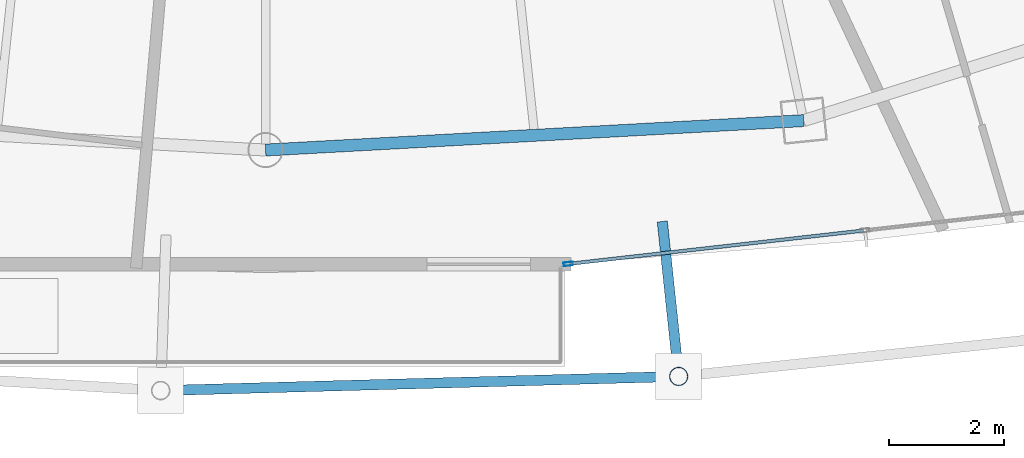
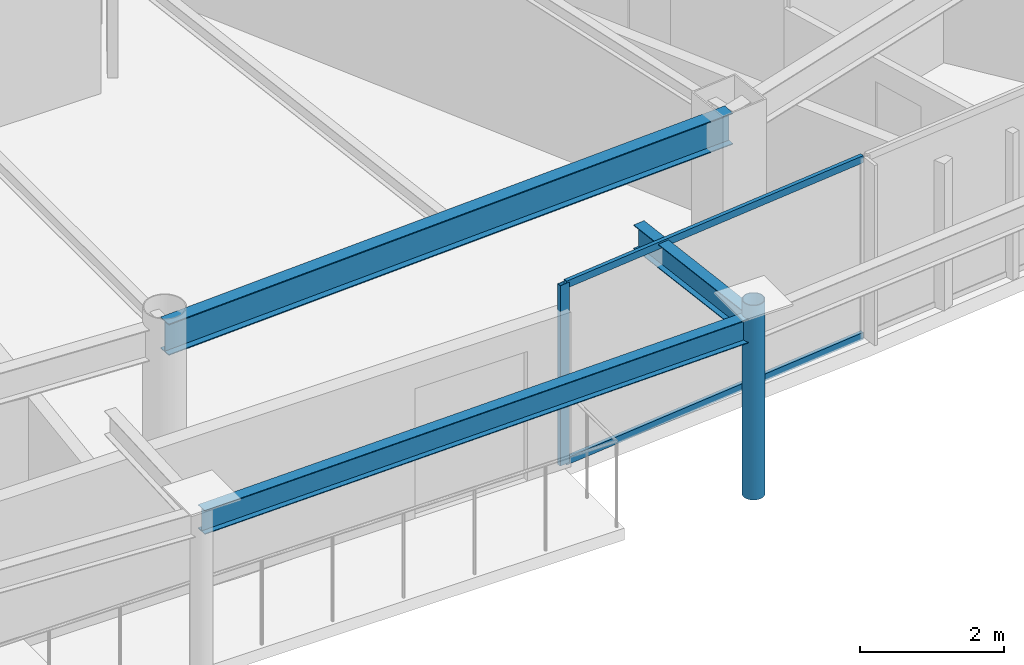
# One storey, part 8 of 32: 4 members, 3 beams, 1 element without a shape of its own.
"""IFC4 building model written with IfcOpenShell, lengths in metres."""

from ifc_helpers import new_model, si_unit, direction, frame, origin, origin_2d, place, context, subcontext, project, spatial, hollow_rectangle, hollow_circle, i_section, extrude, material, layer, layer_set, material_profile, profile_set, type_object, element, aggregate, save


model = new_model("IFC4")

# Units and contexts
model_context = context("Model", 3, precision=1e-05, world=origin(), true_north=direction((0.0, 1.0)))
body_context = subcontext(model_context, "Body", "Model", "MODEL_VIEW")
ifc_project = project(units=[si_unit("LENGTHUNIT", "METRE"), si_unit("AREAUNIT", "SQUARE_METRE"), si_unit("VOLUMEUNIT", "CUBIC_METRE"), si_unit("PLANEANGLEUNIT", "RADIAN"), si_unit("MASSUNIT", "GRAM", prefix="KILO")], contexts=[model_context])

# Site, building, storey
site_placement = place(None, origin())
site = spatial("IfcSite", under=ifc_project, at=site_placement, CompositionType="ELEMENT")
building_placement = place(site_placement, origin())
building = spatial("IfcBuilding", under=site, at=building_placement, Name="Orvanel Arch Residences", CompositionType="ELEMENT")
storey_placement = place(building_placement, frame((0.0, 0.0, 222.800048828125)))
storey = spatial("IfcBuildingStorey", under=building, at=storey_placement, Name="L63", CompositionType="ELEMENT", Elevation=222.800048828125)

# Curtain wall, member
ifc_material_1 = material(Name="Bronze-anodised aluminium AA6063-T6", Category="aluminium")
ifc_layer = layer(ifc_material_1, 0.175048828125)
ifc_layer_set = layer_set([ifc_layer], Name="Bronze-anodised aluminium AA6063-T6")
curtain_wall_type = type_object("IfcCurtainWallType", Name="CW4-HI-SYS", PredefinedType="NOTDEFINED", material=ifc_layer_set)
curtain_wall_placement = place(storey_placement, origin())
curtain_wall = element("IfcCurtainWall", 1, at=curtain_wall_placement, inside=storey, type_object=curtain_wall_type, Name="L63 CW4-HI-SYS Unitised Curtain Wall", PredefinedType="NOTDEFINED")
ifc_material_profile_1 = material_profile(ifc_material_1, hollow_rectangle(XDim=0.06494140625, YDim=0.159912109375, WallThickness=0.00390625, at=origin_2d()), Name="ALU160x65x4")
ifc_profile_set_1 = profile_set([ifc_material_profile_1], Name="Bronze-anodised aluminium AA6063-T6")
member_type_1 = type_object("IfcMemberType", Name="MUL-160x65", PredefinedType="MULLION", material=ifc_profile_set_1)
member_1_placement = place(storey_placement, frame((38.25830078125, 4.86474609375, 0.0), z_axis=(0.0, 0.0, 1.0), x_axis=(-0.112279844711, 0.993676625705, 0.0)))
member_1 = element("IfcMember", 2, at=member_1_placement, type_object=member_type_1, Name="CW-S4 mullion 1", PredefinedType="MULLION", context=body_context, shape_type="SweptSolid", body=[
    extrude(hollow_rectangle(XDim=0.06494140625, YDim=0.159912109375, WallThickness=0.00390625, at=origin_2d()), origin(), (0.0, 0.0, 1.0), 3.06005859375),
])

# Beams
ifc_material_2 = material(Name="Structural steel AS/NZS 3679.1 Grade 300 (300 MPa)", Category="steel")
ifc_material_profile_2 = material_profile(ifc_material_2, i_section(OverallWidth=0.177978515625, OverallDepth=0.406005859375, WebThickness=0.0078125, FlangeThickness=0.0126953125, at=origin_2d()), Name="410UB59.7")
ifc_profile_set_2 = profile_set([ifc_material_profile_2], Name="Structural steel AS/NZS 3679.1 Grade 300 (300 MPa)")
beam_type_1 = type_object("IfcBeamType", Name="OB-410UB-EXT", PredefinedType="SPANDREL", material=ifc_profile_set_2)
beam_1_placement = place(storey_placement, frame((31.177978515625, 2.6640625, 2.85693359375), z_axis=(0.999627190585, 0.027303476753, 0.0), x_axis=(-0.027303476753, 0.999627190585, 0.0)))
element("IfcBeam", 3, at=beam_1_placement, inside=storey, type_object=beam_type_1, Name="L63 Outer Perimeter Floor Ring Beam 06", PredefinedType="SPANDREL", context=body_context, shape_type="SweptSolid", body=[
    extrude(i_section(OverallWidth=0.177978515625, OverallDepth=0.406005859375, WebThickness=0.0078125, FlangeThickness=0.0126953125, at=origin_2d()), origin(), (0.0, 0.0, 1.0), 9.00439453125),
])
beam_2_placement = place(storey_placement, frame((39.89404296875, 5.60205078125, 2.85693359375), z_axis=(0.105243407635, -0.994446491848, 0.0), x_axis=(0.994446491848, 0.105243407635, 0.0)))
element("IfcBeam", 4, at=beam_2_placement, inside=storey, type_object=beam_type_1, Name="L63 Outer Frame Radial Tie Beam 07", PredefinedType="SPANDREL", context=body_context, shape_type="SweptSolid", body=[
    extrude(i_section(OverallWidth=0.177978515625, OverallDepth=0.406005859375, WebThickness=0.0078125, FlangeThickness=0.0126953125, at=origin_2d()), origin(), (0.0, 0.0, 1.0), 2.707275390625),
])
ifc_material_profile_3 = material_profile(ifc_material_2, i_section(OverallWidth=0.208984375, OverallDepth=0.532958984375, WebThickness=0.01025390625, FlangeThickness=0.015625, at=origin_2d()), Name="530UB92.4")
ifc_profile_set_3 = profile_set([ifc_material_profile_3], Name="Structural steel AS/NZS 3679.1 Grade 300 (300 MPa)")
beam_type_2 = type_object("IfcBeamType", Name="SP-530UB", PredefinedType="SPANDREL", material=ifc_profile_set_3)
beam_3_placement = place(storey_placement, frame((33.0, 6.843994140625, 2.7939453125), z_axis=(0.998510315598, 0.054563262768, 0.0), x_axis=(-0.054563262768, 0.998510315598, 0.0)))
element("IfcBeam", 5, at=beam_3_placement, inside=storey, type_object=beam_type_2, Name="L63 Perimeter Spandrel Beam 04", PredefinedType="SPANDREL", context=body_context, shape_type="SweptSolid", body=[
    extrude(i_section(OverallWidth=0.208984375, OverallDepth=0.532958984375, WebThickness=0.01025390625, FlangeThickness=0.015625, at=origin_2d()), origin(), (0.0, 0.0, 1.0), 9.364990234375),
])

# Member
ifc_material_3 = material(Name="Structural steel AS/NZS 1163 C350L0 (Grade 350)", Category="steel")
ifc_material_profile_4 = material_profile(ifc_material_3, hollow_circle(Radius=0.162109375, WallThickness=0.0126953125, at=origin_2d()), Name="CHS324x12.7")
ifc_profile_set_4 = profile_set([ifc_material_profile_4], Name="Structural steel AS/NZS 1163 C350L0 (Grade 350)")
member_type_2 = type_object("IfcMemberType", Name="ST-324CHS-EXT", PredefinedType="STRUT", material=ifc_profile_set_4)
member_2_placement = place(storey_placement, frame((40.178955078125, 2.909912109375, 0.0), z_axis=(0.0, 0.0, 1.0), x_axis=(1.0, 0.0, 0.0)))
element("IfcMember", 6, at=member_2_placement, inside=storey, type_object=member_type_2, Name="L63 Outer Perimeter Frame Post 07", PredefinedType="STRUT", context=body_context, shape_type="SweptSolid", body=[
    extrude(hollow_circle(Radius=0.162109375, WallThickness=0.0126953125, at=origin_2d()), origin(), (0.0, 0.0, 1.0), 3.300048828125),
])

ifc_material_profile_5 = material_profile(ifc_material_1, hollow_rectangle(XDim=0.06005859375, YDim=0.1201171875, WallThickness=0.00341796875, at=origin_2d()), Name="ALU120x60x3.5")
ifc_profile_set_5 = profile_set([ifc_material_profile_5], Name="Bronze-anodised aluminium AA6063-T6")
member_type_3 = type_object("IfcMemberType", Name="TRN-120x60", PredefinedType="USERDEFINED", material=ifc_profile_set_5)
member_3_placement = place(storey_placement, frame((38.29052734375, 4.868408203125, 0.030029296875), z_axis=(0.993677646076, 0.112270814061, 0.0), x_axis=(-0.112270814061, 0.993677646076, 0.0)))
member_3 = element("IfcMember", 7, at=member_3_placement, type_object=member_type_3, Name="CW-S4 transom 1.1", ObjectType="TRANSOM", PredefinedType="USERDEFINED", context=body_context, shape_type="SweptSolid", body=[
    extrude(hollow_rectangle(XDim=0.06005859375, YDim=0.1201171875, WallThickness=0.00341796875, at=origin_2d()), origin(), (0.0, 0.0, 1.0), 5.127685546875),
])

member_4_placement = place(storey_placement, frame((38.29052734375, 4.868408203125, 3.030029296875), z_axis=(0.993677646076, 0.112270814061, 0.0), x_axis=(-0.112270814061, 0.993677646076, 0.0)))
member_4 = element("IfcMember", 8, at=member_4_placement, type_object=member_type_3, Name="CW-S4 transom 1.2", ObjectType="TRANSOM", PredefinedType="USERDEFINED", context=body_context, shape_type="SweptSolid", body=[
    extrude(hollow_rectangle(XDim=0.06005859375, YDim=0.1201171875, WallThickness=0.00341796875, at=origin_2d()), origin(), (0.0, 0.0, 1.0), 5.127685546875),
])

aggregate(curtain_wall, [member_1, member_3, member_4])

save(model, "model.ifc")
